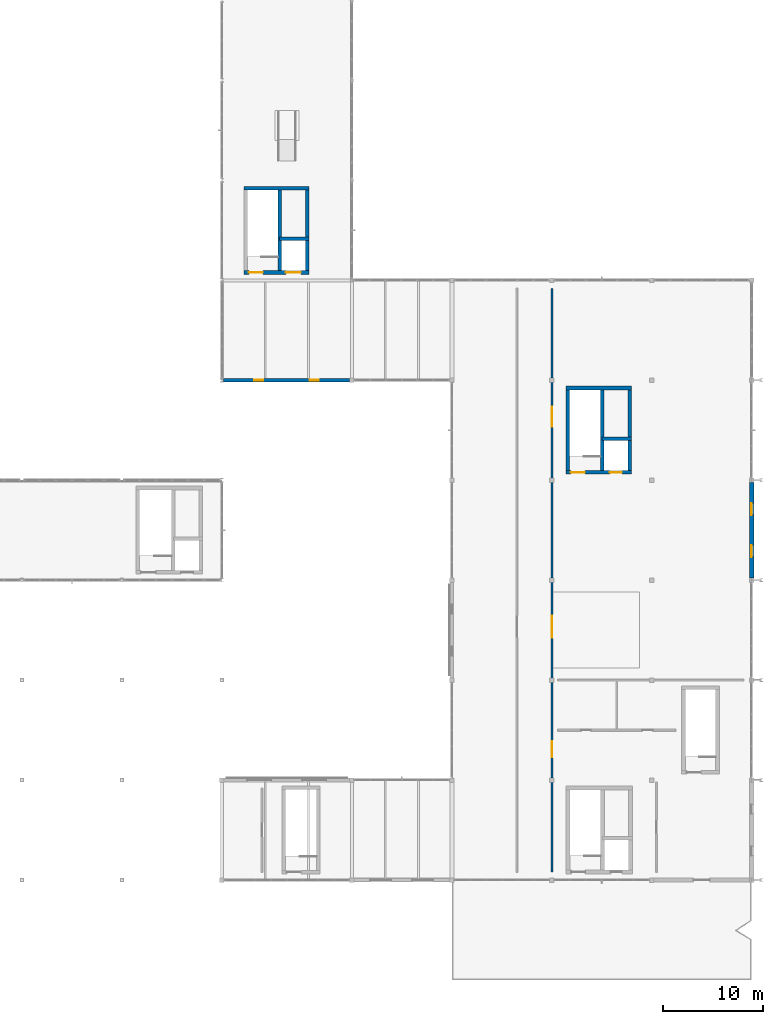
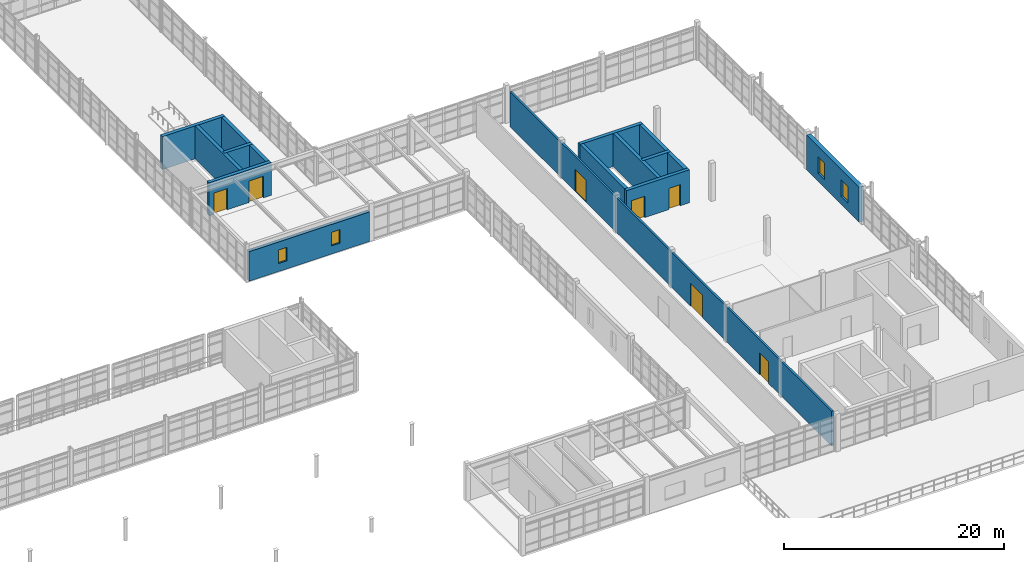
# One storey, part 110 of 122: 14 walls, 7 doors, 4 windows, 11 openings.
"""IFC4 building model written with IfcOpenShell, lengths in metres."""

from ifc_helpers import new_model, si_unit, direction, frame, frame_2d, origin, place, context, subcontext, project, spatial, rectangle, extrude, material, layer, layer_set, type_object, element, fill, save


model = new_model("IFC4")

# Units and contexts
model_context = context("Model", 3, precision=1e-05, world=origin(), true_north=direction((0.0, 1.0)))
body_context = subcontext(model_context, "Body", "Model", "MODEL_VIEW")
ifc_project = project(units=[si_unit("LENGTHUNIT", "METRE"), si_unit("AREAUNIT", "SQUARE_METRE"), si_unit("VOLUMEUNIT", "CUBIC_METRE"), si_unit("PLANEANGLEUNIT", "RADIAN"), si_unit("MASSUNIT", "GRAM", prefix="KILO"), si_unit("THERMODYNAMICTEMPERATUREUNIT", "KELVIN"), si_unit("POWERUNIT", "WATT")], contexts=[model_context])

# Site, building, storey
site_placement = place(None, origin())
site = spatial("IfcSite", under=ifc_project, at=site_placement, CompositionType="ELEMENT")
building_placement = place(site_placement, origin())
building = spatial("IfcBuilding", under=site, at=building_placement, Name="Korenveer Ferry Terminal", CompositionType="ELEMENT")
storey_placement = place(building_placement, frame((0.0, 0.0, 10.199951171875)))
storey = spatial("IfcBuildingStorey", under=building, at=storey_placement, Name="L02", CompositionType="ELEMENT", Elevation=10.199951171875)

# Wall, openings, windows
ifc_material_1 = material(Name="Insulated clinker brick masonry", Category="masonry")
ifc_layer_1 = layer(ifc_material_1, 0.3798828125)
ifc_layer_set_1 = layer_set([ifc_layer_1], Name="Insulated clinker brick masonry")
wall_type_1 = type_object("IfcWallType", Name="ENV-WL-BRK380", PredefinedType="SOLIDWALL", material=ifc_layer_set_1)
wall_1_placement = place(storey_placement, frame((123.14990234375, 70.0, 0.0), z_axis=(0.0, 0.0, 1.0), x_axis=(1.0, 0.0, 0.0)))
wall_1 = element("IfcWall", 1, at=wall_1_placement, inside=storey, type_object=wall_type_1, Name="Exterior facade wall EWL-L02-059", PredefinedType="SOLIDWALL", context=body_context, shape_type="SweptSolid", body=[
    extrude(rectangle(XDim=12.625, YDim=0.3798828125, at=frame_2d((6.3125, 0.0))), origin(), (0.0, 0.0, 1.0), 3.280029296875),
])
opening_1_placement = place(wall_1_placement, frame((3.0849609375, 0.0, 0.89990234375)))
opening_1 = element("IfcOpeningElement", 2, at=opening_1_placement, cuts=wall_1, Name="Opening WN-01", PredefinedType="OPENING", context=body_context, shape_type="SweptSolid", body=[
    extrude(rectangle(XDim=0.89990234375, YDim=1.5, at=frame_2d((0.449951171875, 0.75))), frame((0.0, 0.199951171875, 0.0), z_axis=(0.0, -1.0, 0.0), x_axis=(1.0, 0.0, 0.0)), (0.0, 0.0, 1.0), 0.39990234375),
])
opening_2_placement = place(wall_1_placement, frame((8.639892578125, 0.0, 0.89990234375)))
opening_2 = element("IfcOpeningElement", 3, at=opening_2_placement, cuts=wall_1, Name="Opening WN-01", PredefinedType="OPENING", context=body_context, shape_type="SweptSolid", body=[
    extrude(rectangle(XDim=0.89990234375, YDim=1.5, at=frame_2d((0.449951171875, 0.75))), frame((0.0, 0.199951171875, 0.0), z_axis=(0.0, -1.0, 0.0), x_axis=(1.0, 0.0, 0.0)), (0.0, 0.0, 1.0), 0.39990234375),
])
ifc_material_2 = material(Name="Low-iron triple glazing in bronze frame", Category="glass")
window_type_1 = type_object("IfcWindowType", Name="ENV-WN-01", PartitioningType="SINGLE_PANEL", PredefinedType="WINDOW", material=ifc_material_2)
window_1_placement = place(opening_1_placement, origin())
window_1 = element("IfcWindow", 4, at=window_1_placement, inside=storey, type_object=window_type_1, Name="Lancet facade window 65", OverallHeight=1.5, OverallWidth=0.89990234375, PartitioningType="SINGLE_PANEL", PredefinedType="WINDOW", context=body_context, shape_type="SweptSolid", body=[
    extrude(rectangle(XDim=0.89990234375, YDim=1.5, at=frame_2d((0.449951171875, 0.75))), frame((0.0, 0.030029296875, 0.0), z_axis=(0.0, -1.0, 0.0), x_axis=(1.0, 0.0, 0.0)), (0.0, 0.0, 1.0), 0.06005859375),
])
fill(opening_1, window_1)
window_2_placement = place(opening_2_placement, origin())
window_2 = element("IfcWindow", 5, at=window_2_placement, inside=storey, type_object=window_type_1, Name="Lancet facade window 66", OverallHeight=1.5, OverallWidth=0.89990234375, PartitioningType="SINGLE_PANEL", PredefinedType="WINDOW", context=body_context, shape_type="SweptSolid", body=[
    extrude(rectangle(XDim=0.89990234375, YDim=1.5, at=frame_2d((0.449951171875, 0.75))), frame((0.0, 0.030029296875, 0.0), z_axis=(0.0, -1.0, 0.0), x_axis=(1.0, 0.0, 0.0)), (0.0, 0.0, 1.0), 0.06005859375),
])
fill(opening_2, window_2)

ifc_layer_2 = layer(ifc_material_1, 0.43994140625)
ifc_layer_set_2 = layer_set([ifc_layer_2], Name="Insulated clinker brick masonry")
wall_type_2 = type_object("IfcWallType", Name="ENV-WL-BRK440", PredefinedType="SOLIDWALL", material=ifc_layer_set_2)
wall_2_placement = place(storey_placement, frame((176.0, 59.77490234375, 0.0), z_axis=(0.0, 0.0, 1.0), x_axis=(0.0, -1.0, 0.0)))
wall_2 = element("IfcWall", 6, at=wall_2_placement, inside=storey, type_object=wall_type_2, Name="Exterior facade wall EWL-L02-066", PredefinedType="SOLIDWALL", context=body_context, shape_type="SweptSolid", body=[
    extrude(rectangle(XDim=9.5498046875, YDim=0.43994140625, at=frame_2d((4.77490234375, 0.0))), origin(), (0.0, 0.0, 1.0), 3.880126953125),
])
opening_3_placement = place(wall_2_placement, frame((2.073974609375, 0.0, 0.89990234375)))
opening_3 = element("IfcOpeningElement", 7, at=opening_3_placement, cuts=wall_2, Name="Opening WN-06", PredefinedType="OPENING", context=body_context, shape_type="SweptSolid", body=[
    extrude(rectangle(XDim=1.199951171875, YDim=1.800048828125, at=frame_2d((0.60009765625, 0.89990234375))), frame((0.0, 0.22998046875, 0.0), z_axis=(0.0, -1.0, 0.0), x_axis=(1.0, 0.0, 0.0)), (0.0, 0.0, 1.0), 0.4599609375),
])
opening_4_placement = place(wall_2_placement, frame((6.27587890625, 0.0, 0.89990234375)))
opening_4 = element("IfcOpeningElement", 8, at=opening_4_placement, cuts=wall_2, Name="Opening WN-06", PredefinedType="OPENING", context=body_context, shape_type="SweptSolid", body=[
    extrude(rectangle(XDim=1.199951171875, YDim=1.800048828125, at=frame_2d((0.60009765625, 0.89990234375))), frame((0.0, 0.22998046875, 0.0), z_axis=(0.0, -1.0, 0.0), x_axis=(1.0, 0.0, 0.0)), (0.0, 0.0, 1.0), 0.4599609375),
])
window_type_2 = type_object("IfcWindowType", Name="ENV-WN-06", PartitioningType="SINGLE_PANEL", PredefinedType="WINDOW", material=ifc_material_2)
window_3_placement = place(opening_3_placement, origin())
window_3 = element("IfcWindow", 9, at=window_3_placement, inside=storey, type_object=window_type_2, Name="Lancet facade window 79", OverallHeight=1.800048828125, OverallWidth=1.199951171875, PartitioningType="SINGLE_PANEL", PredefinedType="WINDOW", context=body_context, shape_type="SweptSolid", body=[
    extrude(rectangle(XDim=1.199951171875, YDim=1.800048828125, at=frame_2d((0.60009765625, 0.89990234375))), frame((0.0, 0.030029296875, 0.0), z_axis=(0.0, -1.0, 0.0), x_axis=(1.0, 0.0, 0.0)), (0.0, 0.0, 1.0), 0.06005859375),
])
fill(opening_3, window_3)
window_4_placement = place(opening_4_placement, origin())
window_4 = element("IfcWindow", 10, at=window_4_placement, inside=storey, type_object=window_type_2, Name="Lancet facade window 80", OverallHeight=1.800048828125, OverallWidth=1.199951171875, PartitioningType="SINGLE_PANEL", PredefinedType="WINDOW", context=body_context, shape_type="SweptSolid", body=[
    extrude(rectangle(XDim=1.199951171875, YDim=1.800048828125, at=frame_2d((0.60009765625, 0.89990234375))), frame((0.0, 0.030029296875, 0.0), z_axis=(0.0, -1.0, 0.0), x_axis=(1.0, 0.0, 0.0)), (0.0, 0.0, 1.0), 0.06005859375),
])
fill(opening_4, window_4)

# Wall, openings, doors
ifc_material_3 = material(Name="Acoustic fire-rated twin-stud partition", Category="other")
ifc_layer_3 = layer(ifc_material_3, 0.199951171875)
ifc_layer_set_3 = layer_set([ifc_layer_3], Name="Acoustic fire-rated twin-stud partition")
wall_type_3 = type_object("IfcWallType", Name="INT-WL-COMP200", PredefinedType="PARTITIONING", material=ifc_layer_set_3)
wall_3_placement = place(storey_placement, frame((156.0, 20.800048828125, 0.0), z_axis=(0.0, 0.0, 1.0), x_axis=(0.0, 1.0, 0.0)))
wall_3 = element("IfcWall", 11, at=wall_3_placement, inside=storey, type_object=wall_type_3, Name="Interior partition PWL-L02-044", PredefinedType="PARTITIONING", context=body_context, shape_type="SweptSolid", body=[
    extrude(rectangle(XDim=58.39990234375, YDim=0.199951171875, at=frame_2d((29.199951171875, 0.0))), origin(), (0.0, 0.0, 1.0), 3.860107421875),
])
opening_5_placement = place(wall_3_placement, frame((11.464111328125, 0.0, 0.0)))
opening_5 = element("IfcOpeningElement", 12, at=opening_5_placement, cuts=wall_3, Name="Opening ID-055", PredefinedType="OPENING", context=body_context, shape_type="SweptSolid", body=[
    extrude(rectangle(XDim=1.60009765625, YDim=2.39990234375, at=frame_2d((0.800048828125, 1.199951171875))), frame((0.0, 0.10986328125, 0.0), z_axis=(0.0, -1.0, 0.0), x_axis=(1.0, 0.0, 0.0)), (0.0, 0.0, 1.0), 0.219970703125),
])
opening_6_placement = place(wall_3_placement, frame((23.427978515625, 0.0, 0.0)))
opening_6 = element("IfcOpeningElement", 13, at=opening_6_placement, cuts=wall_3, Name="Opening ID-056", PredefinedType="OPENING", context=body_context, shape_type="SweptSolid", body=[
    extrude(rectangle(XDim=2.199951171875, YDim=2.5, at=frame_2d((1.10009765625, 1.25))), frame((0.0, 0.10986328125, 0.0), z_axis=(0.0, -1.0, 0.0), x_axis=(1.0, 0.0, 0.0)), (0.0, 0.0, 1.0), 0.219970703125),
])
opening_7_placement = place(wall_3_placement, frame((44.552001953125, 0.0, 0.0)))
opening_7 = element("IfcOpeningElement", 14, at=opening_7_placement, cuts=wall_3, Name="Opening ID-057", PredefinedType="OPENING", context=body_context, shape_type="SweptSolid", body=[
    extrude(rectangle(XDim=2.0, YDim=2.449951171875, at=frame_2d((1.0, 1.22509765625))), frame((0.0, 0.10986328125, 0.0), z_axis=(0.0, -1.0, 0.0), x_axis=(1.0, 0.0, 0.0)), (0.0, 0.0, 1.0), 0.219970703125),
])
ifc_material_4 = material(Name="Solid hardwood and steel acoustic door", Category="steel")
door_type_1 = type_object("IfcDoorType", Name="INT-DR-CON200", OperationType="DOUBLE_DOOR_SINGLE_SWING", PredefinedType="DOOR", material=ifc_material_4)
door_1_placement = place(opening_7_placement, origin())
door_1 = element("IfcDoor", 15, at=door_1_placement, inside=storey, type_object=door_type_1, Name="Family Quiet Waiting Lounge Door", OperationType="DOUBLE_DOOR_SINGLE_SWING", OverallHeight=2.449951171875, OverallWidth=2.0, PredefinedType="DOOR", context=body_context, shape_type="SweptSolid", body=[
    extrude(rectangle(XDim=2.0, YDim=2.449951171875, at=frame_2d((1.0, 1.22509765625))), frame((0.0, 0.02490234375, 0.0), z_axis=(0.0, -1.0, 0.0), x_axis=(1.0, 0.0, 0.0)), (0.0, 0.0, 1.0), 0.050048828125),
])
fill(opening_7, door_1)
door_type_2 = type_object("IfcDoorType", Name="INT-DR-CON220", OperationType="DOUBLE_DOOR_SINGLE_SWING", PredefinedType="DOOR", material=ifc_material_4)
door_2_placement = place(opening_6_placement, origin())
door_2 = element("IfcDoor", 16, at=door_2_placement, inside=storey, type_object=door_type_2, Name="Schengen Waiting Lounge Door", OperationType="DOUBLE_DOOR_SINGLE_SWING", OverallHeight=2.5, OverallWidth=2.199951171875, PredefinedType="DOOR", context=body_context, shape_type="SweptSolid", body=[
    extrude(rectangle(XDim=2.199951171875, YDim=2.5, at=frame_2d((1.10009765625, 1.25))), frame((0.0, 0.02490234375, 0.0), z_axis=(0.0, -1.0, 0.0), x_axis=(1.0, 0.0, 0.0)), (0.0, 0.0, 1.0), 0.050048828125),
])
fill(opening_6, door_2)
door_type_3 = type_object("IfcDoorType", Name="INT-DR-FFL160", OperationType="DOUBLE_DOOR_SINGLE_SWING", PredefinedType="DOOR", material=ifc_material_4)
door_3_placement = place(opening_5_placement, origin())
door_3 = element("IfcDoor", 17, at=door_3_placement, inside=storey, type_object=door_type_3, Name="L02 East Firefighting Lobby Door", OperationType="DOUBLE_DOOR_SINGLE_SWING", OverallHeight=2.39990234375, OverallWidth=1.60009765625, PredefinedType="DOOR", context=body_context, shape_type="SweptSolid", body=[
    extrude(rectangle(XDim=1.60009765625, YDim=2.39990234375, at=frame_2d((0.800048828125, 1.199951171875))), frame((0.0, 0.02490234375, 0.0), z_axis=(0.0, -1.0, 0.0), x_axis=(1.0, 0.0, 0.0)), (0.0, 0.0, 1.0), 0.050048828125),
])
fill(opening_5, door_3)

ifc_material_5 = material(Name="Concrete C45/55", Category="concrete")
ifc_layer_4 = layer(ifc_material_5, 0.360107421875)
ifc_layer_set_4 = layer_set([ifc_layer_4], Name="Concrete C45/55")
wall_type_4 = type_object("IfcWallType", Name="INT-WL-CORE360", PredefinedType="SHEAR", material=ifc_layer_set_4)
wall_4_placement = place(storey_placement, frame((157.39990234375, 60.780029296875, 0.0), z_axis=(0.0, 0.0, 1.0), x_axis=(1.0, 0.0, 0.0)))
wall_4 = element("IfcWall", 18, at=wall_4_placement, inside=storey, type_object=wall_type_4, Name="East Schengen Core K4 south shear wall L02", PredefinedType="SHEAR", context=body_context, shape_type="SweptSolid", body=[
    extrude(rectangle(XDim=6.580078125, YDim=0.360107421875, at=frame_2d((3.2900390625, 0.0))), origin(), (0.0, 0.0, 1.0), 3.650146484375),
])
opening_8_placement = place(wall_4_placement, frame((0.510009765625, 0.0, 0.0)))
opening_8 = element("IfcOpeningElement", 19, at=opening_8_placement, cuts=wall_4, Name="Opening SD-16", PredefinedType="OPENING", context=body_context, shape_type="SweptSolid", body=[
    extrude(rectangle(XDim=1.39990234375, YDim=2.35009765625, at=frame_2d((0.699951171875, 1.175048828125))), frame((0.0, 0.18994140625, 0.0), z_axis=(0.0, -1.0, 0.0), x_axis=(1.0, 0.0, 0.0)), (0.0, 0.0, 1.0), 0.380126953125),
])
opening_9_placement = place(wall_4_placement, frame((4.419921875, 0.0, 0.0)))
opening_9 = element("IfcOpeningElement", 20, at=opening_9_placement, cuts=wall_4, Name="Opening LD-16", PredefinedType="OPENING", context=body_context, shape_type="SweptSolid", body=[
    extrude(rectangle(XDim=1.199951171875, YDim=2.35009765625, at=frame_2d((0.60009765625, 1.175048828125))), frame((0.0, 0.18994140625, 0.0), z_axis=(0.0, -1.0, 0.0), x_axis=(1.0, 0.0, 0.0)), (0.0, 0.0, 1.0), 0.380126953125),
])
door_type_4 = type_object("IfcDoorType", Name="INT-DR-LD120", OperationType="SLIDING_TO_LEFT", PredefinedType="DOOR", material=ifc_material_4)
door_4_placement = place(opening_9_placement, origin())
door_4 = element("IfcDoor", 21, at=door_4_placement, inside=storey, type_object=door_type_4, Name="Lift LP2 Sliding Landing Door L02", OperationType="SLIDING_TO_LEFT", OverallHeight=2.35009765625, OverallWidth=1.199951171875, PredefinedType="DOOR", context=body_context, shape_type="SweptSolid", body=[
    extrude(rectangle(XDim=1.199951171875, YDim=2.35009765625, at=frame_2d((0.60009765625, 1.175048828125))), frame((0.0, 0.02490234375, 0.0), z_axis=(0.0, -1.0, 0.0), x_axis=(1.0, 0.0, 0.0)), (0.0, 0.0, 1.0), 0.050048828125),
])
fill(opening_9, door_4)
door_type_5 = type_object("IfcDoorType", Name="INT-DR-ST140", OperationType="NOTDEFINED", PredefinedType="DOOR", material=ifc_material_4)
door_5_placement = place(opening_8_placement, origin())
door_5 = element("IfcDoor", 22, at=door_5_placement, inside=storey, type_object=door_type_5, Name="ST04 Stair Door L02", OperationType="SINGLE_SWING_RIGHT", OverallHeight=2.35009765625, OverallWidth=1.39990234375, PredefinedType="DOOR", context=body_context, shape_type="SweptSolid", body=[
    extrude(rectangle(XDim=1.39990234375, YDim=2.35009765625, at=frame_2d((0.699951171875, 1.175048828125))), frame((0.0, 0.02490234375, 0.0), z_axis=(0.0, -1.0, 0.0), x_axis=(1.0, 0.0, 0.0)), (0.0, 0.0, 1.0), 0.050048828125),
])
fill(opening_8, door_5)

# Walls
wall_5_placement = place(storey_placement, frame((157.39990234375, 69.219970703125, 0.0), z_axis=(0.0, 0.0, 1.0), x_axis=(1.0, 0.0, 0.0)))
element("IfcWall", 23, at=wall_5_placement, inside=storey, type_object=wall_type_4, Name="East Schengen Core K4 north shear wall L02", PredefinedType="SHEAR", context=body_context, shape_type="SweptSolid", body=[
    extrude(rectangle(XDim=6.580078125, YDim=0.360107421875, at=frame_2d((3.2900390625, 0.0))), origin(), (0.0, 0.0, 1.0), 3.650146484375),
])
for number, where, z_axis, x_axis, name in (
    (24, (157.580078125, 60.60009765625, 0.0), (0.0, 0.0, 1.0), (0.0, 1.0, 0.0), "East Schengen Core K4 west shear wall L02"),
    (25, (163.800048828125, 60.60009765625, 0.0), (0.0, 0.0, 1.0), (0.0, 1.0, 0.0), "East Schengen Core K4 east shear wall L02"),
    (26, (161.0400390625, 60.60009765625, 0.0), (0.0, 0.0, 1.0), (0.0, 1.0, 0.0), "East Schengen Core K4 shaft divider wall L02"),
):
    element("IfcWall", number, at=place(storey_placement, frame(where, z_axis=z_axis, x_axis=x_axis)), inside=storey, type_object=wall_type_4, Name=name, PredefinedType="SHEAR", context=body_context, shape_type="SweptSolid", body=[
        extrude(rectangle(XDim=8.7998046875, YDim=0.360107421875, at=frame_2d((4.39990234375, 0.0))), origin(), (0.0, 0.0, 1.0), 3.650146484375),
    ])
wall_6_placement = place(storey_placement, frame((161.0400390625, 64.139892578125, 0.0), z_axis=(0.0, 0.0, 1.0), x_axis=(1.0, 0.0, 0.0)))
element("IfcWall", 27, at=wall_6_placement, inside=storey, type_object=wall_type_4, Name="East Schengen Core K4 lift shaft wall L02", PredefinedType="SHEAR", context=body_context, shape_type="SweptSolid", body=[
    extrude(rectangle(XDim=2.93994140625, YDim=0.360107421875, at=frame_2d((1.469970703125, 0.0))), origin(), (0.0, 0.0, 1.0), 3.650146484375),
])

# Wall, openings, doors
wall_7_placement = place(storey_placement, frame((125.199951171875, 80.780029296875, 0.0), z_axis=(0.0, 0.0, 1.0), x_axis=(1.0, 0.0, 0.0)))
wall_7 = element("IfcWall", 28, at=wall_7_placement, inside=storey, type_object=wall_type_4, Name="East Berth Pier Core K8 south shear wall L02", PredefinedType="SHEAR", context=body_context, shape_type="SweptSolid", body=[
    extrude(rectangle(XDim=6.52001953125, YDim=0.360107421875, at=frame_2d((3.260009765625, 0.0))), origin(), (0.0, 0.0, 1.0), 3.650146484375),
])
opening_10_placement = place(wall_7_placement, frame((0.510009765625, 0.0, 0.0)))
opening_10 = element("IfcOpeningElement", 29, at=opening_10_placement, cuts=wall_7, Name="Opening SD-28", PredefinedType="OPENING", context=body_context, shape_type="SweptSolid", body=[
    extrude(rectangle(XDim=1.39990234375, YDim=2.35009765625, at=frame_2d((0.699951171875, 1.175048828125))), frame((0.0, 0.18994140625, 0.0), z_axis=(0.0, -1.0, 0.0), x_axis=(1.0, 0.0, 0.0)), (0.0, 0.0, 1.0), 0.380126953125),
])
opening_11_placement = place(wall_7_placement, frame((4.2099609375, 0.0, 0.0)))
opening_11 = element("IfcOpeningElement", 30, at=opening_11_placement, cuts=wall_7, Name="Opening LD-28", PredefinedType="OPENING", context=body_context, shape_type="SweptSolid", body=[
    extrude(rectangle(XDim=1.5, YDim=2.39990234375, at=frame_2d((0.75, 1.199951171875))), frame((0.0, 0.18994140625, 0.0), z_axis=(0.0, -1.0, 0.0), x_axis=(1.0, 0.0, 0.0)), (0.0, 0.0, 1.0), 0.380126953125),
])
door_type_6 = type_object("IfcDoorType", Name="INT-DR-LD150", OperationType="SLIDING_TO_LEFT", PredefinedType="DOOR", material=ifc_material_4)
door_6_placement = place(opening_11_placement, origin())
door_6 = element("IfcDoor", 31, at=door_6_placement, inside=storey, type_object=door_type_6, Name="Lift LG2 Sliding Landing Door L02", OperationType="SLIDING_TO_LEFT", OverallHeight=2.39990234375, OverallWidth=1.5, PredefinedType="DOOR", context=body_context, shape_type="SweptSolid", body=[
    extrude(rectangle(XDim=1.5, YDim=2.39990234375, at=frame_2d((0.75, 1.199951171875))), frame((0.0, 0.02490234375, 0.0), z_axis=(0.0, -1.0, 0.0), x_axis=(1.0, 0.0, 0.0)), (0.0, 0.0, 1.0), 0.050048828125),
])
fill(opening_11, door_6)
door_7_placement = place(opening_10_placement, origin())
door_7 = element("IfcDoor", 32, at=door_7_placement, inside=storey, type_object=door_type_5, Name="ST08 Stair Door L02", OperationType="SINGLE_SWING_RIGHT", OverallHeight=2.35009765625, OverallWidth=1.39990234375, PredefinedType="DOOR", context=body_context, shape_type="SweptSolid", body=[
    extrude(rectangle(XDim=1.39990234375, YDim=2.35009765625, at=frame_2d((0.699951171875, 1.175048828125))), frame((0.0, 0.02490234375, 0.0), z_axis=(0.0, -1.0, 0.0), x_axis=(1.0, 0.0, 0.0)), (0.0, 0.0, 1.0), 0.050048828125),
])
fill(opening_10, door_7)

# Walls
wall_8_placement = place(storey_placement, frame((125.199951171875, 89.219970703125, 0.0), z_axis=(0.0, 0.0, 1.0), x_axis=(1.0, 0.0, 0.0)))
element("IfcWall", 33, at=wall_8_placement, inside=storey, type_object=wall_type_4, Name="East Berth Pier Core K8 north shear wall L02", PredefinedType="SHEAR", context=body_context, shape_type="SweptSolid", body=[
    extrude(rectangle(XDim=6.52001953125, YDim=0.360107421875, at=frame_2d((3.260009765625, 0.0))), origin(), (0.0, 0.0, 1.0), 3.650146484375),
])
for number, where, z_axis, x_axis, name in (
    (34, (131.5400390625, 80.60009765625, 0.0), (0.0, 0.0, 1.0), (0.0, 1.0, 0.0), "East Berth Pier Core K8 east shear wall L02"),
    (35, (128.780029296875, 80.60009765625, 0.0), (0.0, 0.0, 1.0), (0.0, 1.0, 0.0), "East Berth Pier Core K8 shaft divider wall L02"),
):
    element("IfcWall", number, at=place(storey_placement, frame(where, z_axis=z_axis, x_axis=x_axis)), inside=storey, type_object=wall_type_4, Name=name, PredefinedType="SHEAR", context=body_context, shape_type="SweptSolid", body=[
        extrude(rectangle(XDim=8.7998046875, YDim=0.360107421875, at=frame_2d((4.39990234375, 0.0))), origin(), (0.0, 0.0, 1.0), 3.650146484375),
    ])
wall_9_placement = place(storey_placement, frame((128.780029296875, 84.139892578125, 0.0), z_axis=(0.0, 0.0, 1.0), x_axis=(1.0, 0.0, 0.0)))
element("IfcWall", 36, at=wall_9_placement, inside=storey, type_object=wall_type_4, Name="East Berth Pier Core K8 lift shaft wall L02", PredefinedType="SHEAR", context=body_context, shape_type="SweptSolid", body=[
    extrude(rectangle(XDim=2.93994140625, YDim=0.360107421875, at=frame_2d((1.469970703125, 0.0))), origin(), (0.0, 0.0, 1.0), 3.650146484375),
])

save(model, "model.ifc")
